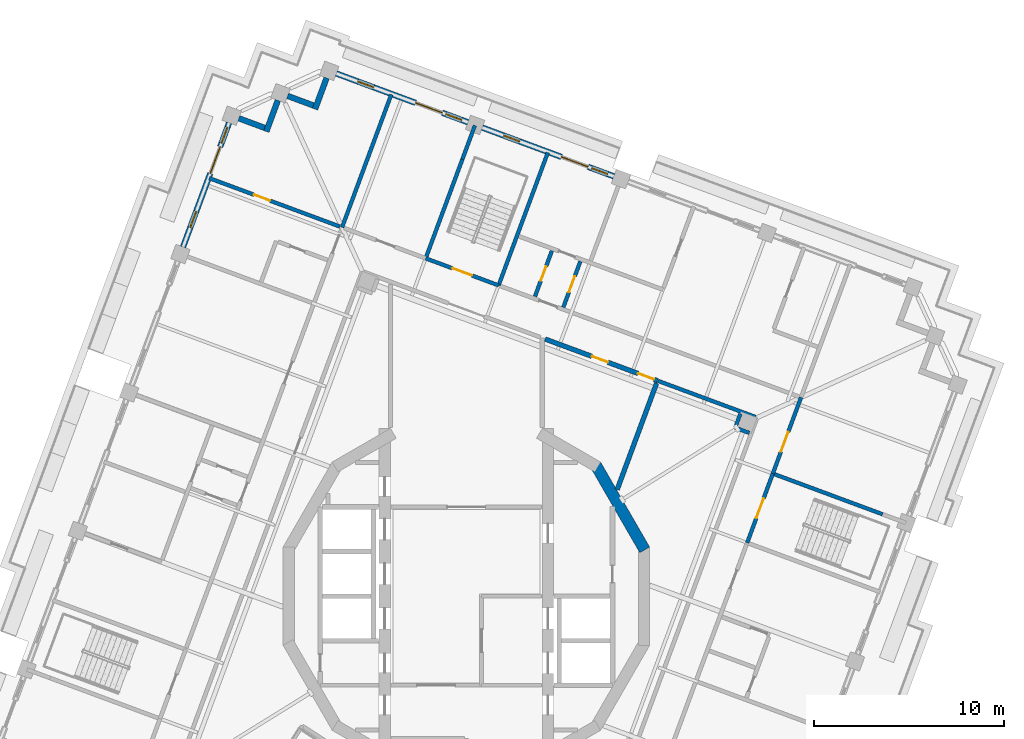
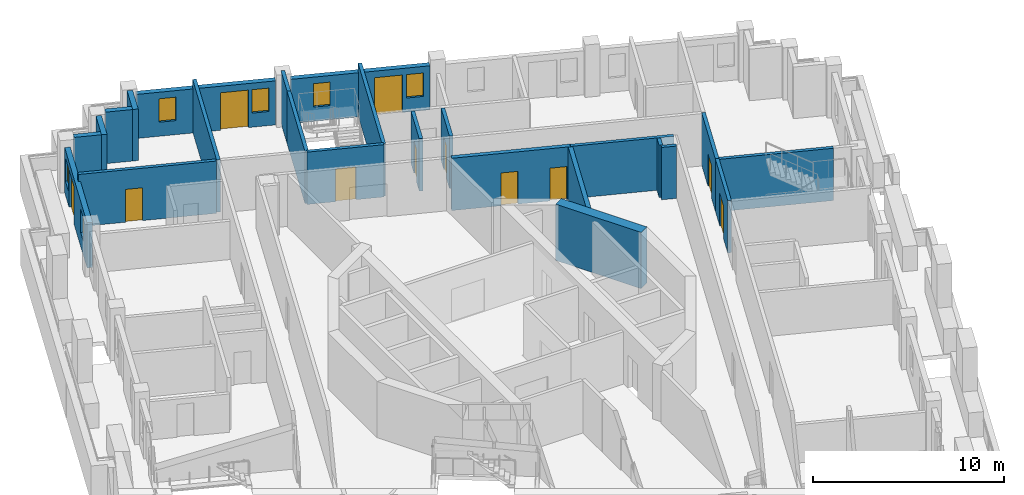
# One storey, part 8 of 18: 24 walls, 11 doors, 6 windows, 17 openings.
"""IFC4 building model written with IfcOpenShell, lengths in metres."""

from ifc_helpers import new_model, si_unit, direction, frame, frame_2d, origin, place, context, subcontext, project, spatial, rectangle, extrude, material, layer, layer_set, type_object, element, fill, save


model = new_model("IFC4")

# Units and contexts
model_context = context("Model", 3, precision=1e-05, world=origin(), true_north=direction((0.0, 1.0)))
body_context = subcontext(model_context, "Body", "Model", "MODEL_VIEW")
ifc_project = project(units=[si_unit("LENGTHUNIT", "METRE"), si_unit("AREAUNIT", "SQUARE_METRE"), si_unit("VOLUMEUNIT", "CUBIC_METRE"), si_unit("PLANEANGLEUNIT", "RADIAN"), si_unit("MASSUNIT", "GRAM", prefix="KILO")], contexts=[model_context])

# Site, building, storey
site_placement = place(None, origin())
site = spatial("IfcSite", under=ifc_project, at=site_placement, CompositionType="ELEMENT")
building_placement = place(site_placement, origin())
building = spatial("IfcBuilding", under=site, at=building_placement, Name="Cantera Rosa Tower", CompositionType="ELEMENT")
storey_placement = place(building_placement, frame((0.0, 0.0, 316.89990234375)))
storey = spatial("IfcBuildingStorey", under=building, at=storey_placement, Name="L70", CompositionType="ELEMENT", Elevation=316.89990234375)

# Wall
ifc_material_1 = material(Name="Gypsum board partition")
ifc_layer_1 = layer(ifc_material_1, 0.199951171875)
ifc_layer_set_1 = layer_set([ifc_layer_1], Name="CORRIDOR WALL 200 H3350")
wall_type_1 = type_object("IfcWallType", Name="CORRIDOR WALL 200 H3350", PredefinedType="PARTITIONING", material=ifc_layer_set_1)
wall_1_placement = place(storey_placement, frame((15.2314453125, 9.446044921875, 0.0), z_axis=(0.0, 0.0, 1.0), x_axis=(-0.93769339426, 0.347463808706, 0.0)))
element("IfcWall", 1, at=wall_1_placement, inside=storey, type_object=wall_type_1, Name="CORRIDOR WALL L70-096", PredefinedType="PARTITIONING", context=body_context, shape_type="SweptSolid", body=[
    extrude(rectangle(XDim=5.47998046875, YDim=0.199951171875, at=frame_2d((2.739990234375, 0.0))), origin(), (0.0, 0.0, 1.0), 3.35009765625),
])

# Wall, opening, door
wall_2_placement = place(storey_placement, frame((16.1513671875, 6.460205078125, 0.0), z_axis=(0.0, 0.0, 1.0), x_axis=(0.347438825371, 0.937702651497, 0.0)))
wall_2 = element("IfcWall", 2, at=wall_2_placement, inside=storey, type_object=wall_type_1, Name="CORRIDOR WALL L70-099", PredefinedType="PARTITIONING", context=body_context, shape_type="SweptSolid", body=[
    extrude(rectangle(XDim=4.280029296875, YDim=0.199951171875, at=frame_2d((2.14013671875, 0.0))), origin(), (0.0, 0.0, 1.0), 3.35009765625),
])
opening_1_placement = place(wall_2_placement, frame((1.22998046875, 0.0, 0.0)))
opening_1 = element("IfcOpeningElement", 3, at=opening_1_placement, cuts=wall_2, Name="Opening L70-046", PredefinedType="OPENING", context=body_context, shape_type="SweptSolid", body=[
    extrude(rectangle(XDim=1.10009765625, YDim=2.10009765625, at=frame_2d((0.550048828125, 1.050048828125))), frame((0.0, 0.10986328125, 0.0), z_axis=(0.0, -1.0, 0.0), x_axis=(1.0, 0.0, 0.0)), (0.0, 0.0, 1.0), 0.219970703125),
])
ifc_material_2 = material(Name="Timber door leaf", Category="wood")
door_type_1 = type_object("IfcDoorType", Name="ROOM DOOR 1100x2100", OperationType="NOTDEFINED", PredefinedType="DOOR", material=ifc_material_2)
door_1_placement = place(opening_1_placement, origin())
door_1 = element("IfcDoor", 4, at=door_1_placement, inside=storey, type_object=door_type_1, Name="DOOR L70-046", OperationType="NOTDEFINED", OverallHeight=2.10009765625, OverallWidth=1.10009765625, PredefinedType="DOOR", context=body_context, shape_type="SweptSolid", body=[
    extrude(rectangle(XDim=1.10009765625, YDim=2.10009765625, at=frame_2d((0.550048828125, 1.050048828125))), frame((0.0, 0.02490234375, 0.0), z_axis=(0.0, -1.0, 0.0), x_axis=(1.0, 0.0, 0.0)), (0.0, 0.0, 1.0), 0.050048828125),
])
fill(opening_1, door_1)

# Walls
ifc_material_3 = material(Name="Hollow clay masonry with cantera stone cladding", Category="masonry")
ifc_layer_2 = layer(ifc_material_3, 0.300048828125)
ifc_layer_set_2 = layer_set([ifc_layer_2], Name="EW-LOGGIA 300")
wall_type_2 = type_object("IfcWallType", Name="EW-LOGGIA 300", PredefinedType="SOLIDWALL", material=ifc_layer_set_2)
wall_3_placement = place(storey_placement, frame((-7.36865234375, 27.312255859375, 0.0), z_axis=(0.0, 0.0, 1.0), x_axis=(-0.34752790836, -0.937669639538, 0.0)))
element("IfcWall", 5, at=wall_3_placement, inside=storey, type_object=wall_type_2, Name="EN-L70-W05a", PredefinedType="SOLIDWALL", context=body_context, shape_type="SweptSolid", body=[
    extrude(rectangle(XDim=1.75, YDim=0.300048828125, at=frame_2d((0.875, 0.0))), origin(), (0.0, 0.0, 1.0), 3.300048828125),
])
wall_4_placement = place(storey_placement, frame((-8.065185546875, 25.8642578125, 0.0), z_axis=(0.0, 0.0, 1.0), x_axis=(-0.937671557958, 0.347522732201, 0.0)))
element("IfcWall", 6, at=wall_4_placement, inside=storey, type_object=wall_type_2, Name="EN-L70-W05b", PredefinedType="SOLIDWALL", context=body_context, shape_type="SweptSolid", body=[
    extrude(rectangle(XDim=1.449951171875, YDim=0.300048828125, at=frame_2d((0.72509765625, 0.0))), origin(), (0.0, 0.0, 1.0), 3.300048828125),
])
wall_5_placement = place(storey_placement, frame((-9.93896484375, 26.132080078125, 0.0), z_axis=(0.0, 0.0, 1.0), x_axis=(-0.34748245117, -0.937686486054, 0.0)))
element("IfcWall", 7, at=wall_5_placement, inside=storey, type_object=wall_type_2, Name="EN-L70-W06a", PredefinedType="SOLIDWALL", context=body_context, shape_type="SweptSolid", body=[
    extrude(rectangle(XDim=1.750244140625, YDim=0.300048828125, at=frame_2d((0.875, 0.0))), origin(), (0.0, 0.0, 1.0), 3.300048828125),
])
wall_6_placement = place(storey_placement, frame((-10.635498046875, 24.683837890625, 0.0), z_axis=(0.0, 0.0, 1.0), x_axis=(-0.937671557958, 0.347522732201, 0.0)))
element("IfcWall", 8, at=wall_6_placement, inside=storey, type_object=wall_type_2, Name="EN-L70-W06b", PredefinedType="SOLIDWALL", context=body_context, shape_type="SweptSolid", body=[
    extrude(rectangle(XDim=1.449951171875, YDim=0.300048828125, at=frame_2d((0.72509765625, 0.0))), origin(), (0.0, 0.0, 1.0), 3.300048828125),
])

# Wall, openings, windows, door
ifc_material_4 = material(Name="Hollow clay masonry with cantera stone cladding", Category="masonry")
ifc_layer_3 = layer(ifc_material_4, 0.300048828125)
ifc_layer_set_3 = layer_set([ifc_layer_3], Name="EW-LOGGIA 300 H2820")
wall_type_3 = type_object("IfcWallType", Name="EW-LOGGIA 300 H2820", PredefinedType="SOLIDWALL", material=ifc_layer_set_3)
wall_7_placement = place(storey_placement, frame((7.7734375, 22.127685546875, 0.0), z_axis=(0.0, 0.0, 1.0), x_axis=(-0.937680690562, 0.34749808999, 0.0)))
wall_7 = element("IfcWall", 9, at=wall_7_placement, inside=storey, type_object=wall_type_3, Name="EN-L70-W03", PredefinedType="SOLIDWALL", context=body_context, shape_type="SweptSolid", body=[
    extrude(rectangle(XDim=7.400146484375, YDim=0.300048828125, at=frame_2d((3.7001953125, 0.0))), origin(), (0.0, 0.0, 1.0), 2.820068359375),
])
opening_2_placement = place(wall_7_placement, frame((0.35009765625, 0.0, 0.89990234375)))
opening_2 = element("IfcOpeningElement", 10, at=opening_2_placement, cuts=wall_7, Name="Opening L70-W07", PredefinedType="OPENING", context=body_context, shape_type="SweptSolid", body=[
    extrude(rectangle(XDim=0.89990234375, YDim=1.5, at=frame_2d((0.449951171875, 0.75))), frame((0.0, 0.159912109375, 0.0), z_axis=(0.0, -1.0, 0.0), x_axis=(1.0, 0.0, 0.0)), (0.0, 0.0, 1.0), 0.320068359375),
])
opening_3_placement = place(wall_7_placement, frame((1.449951171875, 0.0, 0.0)))
opening_3 = element("IfcOpeningElement", 11, at=opening_3_placement, cuts=wall_7, Name="Opening L70-TD08", PredefinedType="OPENING", context=body_context, shape_type="SweptSolid", body=[
    extrude(rectangle(XDim=1.5, YDim=2.39990234375, at=frame_2d((0.75, 1.199951171875))), frame((0.0, 0.159912109375, 0.0), z_axis=(0.0, -1.0, 0.0), x_axis=(1.0, 0.0, 0.0)), (0.0, 0.0, 1.0), 0.320068359375),
])
opening_4_placement = place(wall_7_placement, frame((5.300048828125, 0.0, 0.89990234375)))
opening_4 = element("IfcOpeningElement", 12, at=opening_4_placement, cuts=wall_7, Name="Opening L70-W09", PredefinedType="OPENING", context=body_context, shape_type="SweptSolid", body=[
    extrude(rectangle(XDim=0.89990234375, YDim=1.5, at=frame_2d((0.449951171875, 0.75))), frame((0.0, 0.159912109375, 0.0), z_axis=(0.0, -1.0, 0.0), x_axis=(1.0, 0.0, 0.0)), (0.0, 0.0, 1.0), 0.320068359375),
])
ifc_material_5 = material(Name="Aluminium frame with clear glass", Category="aluminium")
window_type = type_object("IfcWindowType", Name="Residential window 900x1500", PartitioningType="SINGLE_PANEL", PredefinedType="WINDOW", material=ifc_material_5)
window_1_placement = place(opening_2_placement, origin())
window_1 = element("IfcWindow", 13, at=window_1_placement, inside=storey, type_object=window_type, Name="WINDOW L70-W07", OverallHeight=1.5, OverallWidth=0.89990234375, PartitioningType="SINGLE_PANEL", PredefinedType="WINDOW", context=body_context, shape_type="SweptSolid", body=[
    extrude(rectangle(XDim=0.89990234375, YDim=1.5, at=frame_2d((0.449951171875, 0.75))), frame((0.0, 0.030029296875, 0.0), z_axis=(0.0, -1.0, 0.0), x_axis=(1.0, 0.0, 0.0)), (0.0, 0.0, 1.0), 0.06005859375),
])
fill(opening_2, window_1)
window_2_placement = place(opening_4_placement, origin())
window_2 = element("IfcWindow", 14, at=window_2_placement, inside=storey, type_object=window_type, Name="WINDOW L70-W09", OverallHeight=1.5, OverallWidth=0.89990234375, PartitioningType="SINGLE_PANEL", PredefinedType="WINDOW", context=body_context, shape_type="SweptSolid", body=[
    extrude(rectangle(XDim=0.89990234375, YDim=1.5, at=frame_2d((0.449951171875, 0.75))), frame((0.0, 0.030029296875, 0.0), z_axis=(0.0, -1.0, 0.0), x_axis=(1.0, 0.0, 0.0)), (0.0, 0.0, 1.0), 0.06005859375),
])
fill(opening_4, window_2)
ifc_material_6 = material(Name="Aluminium frame with clear glass", Category="aluminium")
door_type_2 = type_object("IfcDoorType", Name="TD-R 1500x2400", OperationType="NOTDEFINED", PredefinedType="DOOR", material=ifc_material_6)
door_2_placement = place(opening_3_placement, origin())
door_2 = element("IfcDoor", 15, at=door_2_placement, inside=storey, type_object=door_type_2, Name="LOGGIA DOOR L70-TD08", OperationType="SLIDING_TO_LEFT", OverallHeight=2.39990234375, OverallWidth=1.5, PredefinedType="DOOR", context=body_context, shape_type="SweptSolid", body=[
    extrude(rectangle(XDim=1.5, YDim=2.39990234375, at=frame_2d((0.75, 1.199951171875))), frame((0.0, 0.02490234375, 0.0), z_axis=(0.0, -1.0, 0.0), x_axis=(1.0, 0.0, 0.0)), (0.0, 0.0, 1.0), 0.050048828125),
])
fill(opening_3, door_2)

wall_8_placement = place(storey_placement, frame((0.084228515625, 24.97705078125, 0.0), z_axis=(0.0, 0.0, 1.0), x_axis=(-0.937687456783, 0.347479831633, 0.0)))
wall_8 = element("IfcWall", 16, at=wall_8_placement, inside=storey, type_object=wall_type_3, Name="EN-L70-W04", PredefinedType="SOLIDWALL", context=body_context, shape_type="SweptSolid", body=[
    extrude(rectangle(XDim=7.39990234375, YDim=0.300048828125, at=frame_2d((3.699951171875, 0.0))), origin(), (0.0, 0.0, 1.0), 2.820068359375),
])
opening_5_placement = place(wall_8_placement, frame((0.35009765625, 0.0, 0.89990234375)))
opening_5 = element("IfcOpeningElement", 17, at=opening_5_placement, cuts=wall_8, Name="Opening L70-W10", PredefinedType="OPENING", context=body_context, shape_type="SweptSolid", body=[
    extrude(rectangle(XDim=0.89990234375, YDim=1.5, at=frame_2d((0.449951171875, 0.75))), frame((0.0, 0.159912109375, 0.0), z_axis=(0.0, -1.0, 0.0), x_axis=(1.0, 0.0, 0.0)), (0.0, 0.0, 1.0), 0.320068359375),
])
opening_6_placement = place(wall_8_placement, frame((1.449951171875, 0.0, 0.0)))
opening_6 = element("IfcOpeningElement", 18, at=opening_6_placement, cuts=wall_8, Name="Opening L70-TD11", PredefinedType="OPENING", context=body_context, shape_type="SweptSolid", body=[
    extrude(rectangle(XDim=1.5, YDim=2.39990234375, at=frame_2d((0.75, 1.199951171875))), frame((0.0, 0.159912109375, 0.0), z_axis=(0.0, -1.0, 0.0), x_axis=(1.0, 0.0, 0.0)), (0.0, 0.0, 1.0), 0.320068359375),
])
opening_7_placement = place(wall_8_placement, frame((5.300048828125, 0.0, 0.89990234375)))
opening_7 = element("IfcOpeningElement", 19, at=opening_7_placement, cuts=wall_8, Name="Opening L70-W12", PredefinedType="OPENING", context=body_context, shape_type="SweptSolid", body=[
    extrude(rectangle(XDim=0.89990234375, YDim=1.5, at=frame_2d((0.449951171875, 0.75))), frame((0.0, 0.159912109375, 0.0), z_axis=(0.0, -1.0, 0.0), x_axis=(1.0, 0.0, 0.0)), (0.0, 0.0, 1.0), 0.320068359375),
])
window_3_placement = place(opening_5_placement, origin())
window_3 = element("IfcWindow", 20, at=window_3_placement, inside=storey, type_object=window_type, Name="WINDOW L70-W10", OverallHeight=1.5, OverallWidth=0.89990234375, PartitioningType="SINGLE_PANEL", PredefinedType="WINDOW", context=body_context, shape_type="SweptSolid", body=[
    extrude(rectangle(XDim=0.89990234375, YDim=1.5, at=frame_2d((0.449951171875, 0.75))), frame((0.0, 0.030029296875, 0.0), z_axis=(0.0, -1.0, 0.0), x_axis=(1.0, 0.0, 0.0)), (0.0, 0.0, 1.0), 0.06005859375),
])
fill(opening_5, window_3)
window_4_placement = place(opening_7_placement, origin())
window_4 = element("IfcWindow", 21, at=window_4_placement, inside=storey, type_object=window_type, Name="WINDOW L70-W12", OverallHeight=1.5, OverallWidth=0.89990234375, PartitioningType="SINGLE_PANEL", PredefinedType="WINDOW", context=body_context, shape_type="SweptSolid", body=[
    extrude(rectangle(XDim=0.89990234375, YDim=1.5, at=frame_2d((0.449951171875, 0.75))), frame((0.0, 0.030029296875, 0.0), z_axis=(0.0, -1.0, 0.0), x_axis=(1.0, 0.0, 0.0)), (0.0, 0.0, 1.0), 0.06005859375),
])
fill(opening_7, window_4)
door_3_placement = place(opening_6_placement, origin())
door_3 = element("IfcDoor", 22, at=door_3_placement, inside=storey, type_object=door_type_2, Name="LOGGIA DOOR L70-TD11", OperationType="SLIDING_TO_LEFT", OverallHeight=2.39990234375, OverallWidth=1.5, PredefinedType="DOOR", context=body_context, shape_type="SweptSolid", body=[
    extrude(rectangle(XDim=1.5, YDim=2.39990234375, at=frame_2d((0.75, 1.199951171875))), frame((0.0, 0.02490234375, 0.0), z_axis=(0.0, -1.0, 0.0), x_axis=(1.0, 0.0, 0.0)), (0.0, 0.0, 1.0), 0.050048828125),
])
fill(opening_6, door_3)

ifc_material_7 = material(Name="Hollow clay masonry with cantera stone cladding", Category="masonry")
ifc_layer_4 = layer(ifc_material_7, 0.300048828125)
ifc_layer_set_4 = layer_set([ifc_layer_4], Name="EW-LOGGIA 300 H2890")
wall_type_4 = type_object("IfcWallType", Name="EW-LOGGIA 300 H2890", PredefinedType="SOLIDWALL", material=ifc_layer_set_4)
wall_9_placement = place(storey_placement, frame((-12.50927734375, 24.95166015625, 0.0), z_axis=(0.0, 0.0, 1.0), x_axis=(-0.347490919506, -0.937683347864, 0.0)))
wall_9 = element("IfcWall", 23, at=wall_9_placement, inside=storey, type_object=wall_type_4, Name="EN-L70-W07", PredefinedType="SOLIDWALL", context=body_context, shape_type="SweptSolid", body=[
    extrude(rectangle(XDim=6.980224609375, YDim=0.300048828125, at=frame_2d((3.490234375, 0.0))), origin(), (0.0, 0.0, 1.0), 2.89013671875),
])
opening_8_placement = place(wall_9_placement, frame((0.2451171875, 0.0, 0.89990234375)))
opening_8 = element("IfcOpeningElement", 24, at=opening_8_placement, cuts=wall_9, Name="Opening L70-W13", PredefinedType="OPENING", context=body_context, shape_type="SweptSolid", body=[
    extrude(rectangle(XDim=0.89990234375, YDim=1.5, at=frame_2d((0.449951171875, 0.75))), frame((0.0, 0.159912109375, 0.0), z_axis=(0.0, -1.0, 0.0), x_axis=(1.0, 0.0, 0.0)), (0.0, 0.0, 1.0), 0.320068359375),
])
opening_9_placement = place(wall_9_placement, frame((1.344970703125, 0.0, 0.0)))
opening_9 = element("IfcOpeningElement", 25, at=opening_9_placement, cuts=wall_9, Name="Opening L70-TD14", PredefinedType="OPENING", context=body_context, shape_type="SweptSolid", body=[
    extrude(rectangle(XDim=1.5, YDim=2.39990234375, at=frame_2d((0.75, 1.199951171875))), frame((0.0, 0.159912109375, 0.0), z_axis=(0.0, -1.0, 0.0), x_axis=(1.0, 0.0, 0.0)), (0.0, 0.0, 1.0), 0.320068359375),
])
opening_10_placement = place(wall_9_placement, frame((4.985107421875, 0.0, 0.89990234375)))
opening_10 = element("IfcOpeningElement", 26, at=opening_10_placement, cuts=wall_9, Name="Opening L70-W15", PredefinedType="OPENING", context=body_context, shape_type="SweptSolid", body=[
    extrude(rectangle(XDim=0.89990234375, YDim=1.5, at=frame_2d((0.449951171875, 0.75))), frame((0.0, 0.159912109375, 0.0), z_axis=(0.0, -1.0, 0.0), x_axis=(1.0, 0.0, 0.0)), (0.0, 0.0, 1.0), 0.320068359375),
])
window_5_placement = place(opening_8_placement, origin())
window_5 = element("IfcWindow", 27, at=window_5_placement, inside=storey, type_object=window_type, Name="WINDOW L70-W13", OverallHeight=1.5, OverallWidth=0.89990234375, PartitioningType="SINGLE_PANEL", PredefinedType="WINDOW", context=body_context, shape_type="SweptSolid", body=[
    extrude(rectangle(XDim=0.89990234375, YDim=1.5, at=frame_2d((0.449951171875, 0.75))), frame((0.0, 0.030029296875, 0.0), z_axis=(0.0, -1.0, 0.0), x_axis=(1.0, 0.0, 0.0)), (0.0, 0.0, 1.0), 0.06005859375),
])
fill(opening_8, window_5)
window_6_placement = place(opening_10_placement, origin())
window_6 = element("IfcWindow", 28, at=window_6_placement, inside=storey, type_object=window_type, Name="WINDOW L70-W15", OverallHeight=1.5, OverallWidth=0.89990234375, PartitioningType="SINGLE_PANEL", PredefinedType="WINDOW", context=body_context, shape_type="SweptSolid", body=[
    extrude(rectangle(XDim=0.89990234375, YDim=1.5, at=frame_2d((0.449951171875, 0.75))), frame((0.0, 0.030029296875, 0.0), z_axis=(0.0, -1.0, 0.0), x_axis=(1.0, 0.0, 0.0)), (0.0, 0.0, 1.0), 0.06005859375),
])
fill(opening_10, window_6)
door_4_placement = place(opening_9_placement, origin())
door_4 = element("IfcDoor", 29, at=door_4_placement, inside=storey, type_object=door_type_2, Name="LOGGIA DOOR L70-TD14", OperationType="SLIDING_TO_LEFT", OverallHeight=2.39990234375, OverallWidth=1.5, PredefinedType="DOOR", context=body_context, shape_type="SweptSolid", body=[
    extrude(rectangle(XDim=1.5, YDim=2.39990234375, at=frame_2d((0.75, 1.199951171875))), frame((0.0, 0.02490234375, 0.0), z_axis=(0.0, -1.0, 0.0), x_axis=(1.0, 0.0, 0.0)), (0.0, 0.0, 1.0), 0.050048828125),
])
fill(opening_9, door_4)

# Wall, opening, door
ifc_material_8 = material(Name="Gypsum board partition")
ifc_layer_5 = layer(ifc_material_8, 0.199951171875)
ifc_layer_set_5 = layer_set([ifc_layer_5], Name="PARTITION 200 H3350")
wall_type_5 = type_object("IfcWallType", Name="PARTITION 200 H3350", PredefinedType="PARTITIONING", material=ifc_layer_set_5)
wall_10_placement = place(storey_placement, frame((-6.66650390625, 19.480224609375, 0.0), z_axis=(0.0, 0.0, 1.0), x_axis=(-0.937685837181, 0.347484202159, 0.0)))
wall_10 = element("IfcWall", 30, at=wall_10_placement, inside=storey, type_object=wall_type_5, Name="PARTITION L70-035", PredefinedType="PARTITIONING", context=body_context, shape_type="SweptSolid", body=[
    extrude(rectangle(XDim=7.349853515625, YDim=0.199951171875, at=frame_2d((3.6748046875, 0.0))), origin(), (0.0, 0.0, 1.0), 3.35009765625),
])
opening_11_placement = place(wall_10_placement, frame((3.929931640625, 0.0, 0.0)))
opening_11 = element("IfcOpeningElement", 31, at=opening_11_placement, cuts=wall_10, Name="Opening L70-035", PredefinedType="OPENING", context=body_context, shape_type="SweptSolid", body=[
    extrude(rectangle(XDim=0.89990234375, YDim=2.10009765625, at=frame_2d((0.449951171875, 1.050048828125))), frame((0.0, 0.10986328125, 0.0), z_axis=(0.0, -1.0, 0.0), x_axis=(1.0, 0.0, 0.0)), (0.0, 0.0, 1.0), 0.219970703125),
])
ifc_material_9 = material(Name="Timber door leaf", Category="wood")
door_type_3 = type_object("IfcDoorType", Name="ROOM DOOR 900x2100", OperationType="NOTDEFINED", PredefinedType="DOOR", material=ifc_material_9)
door_5_placement = place(opening_11_placement, origin())
door_5 = element("IfcDoor", 32, at=door_5_placement, inside=storey, type_object=door_type_3, Name="DOOR L70-035", OperationType="NOTDEFINED", OverallHeight=2.10009765625, OverallWidth=0.89990234375, PredefinedType="DOOR", context=body_context, shape_type="SweptSolid", body=[
    extrude(rectangle(XDim=0.89990234375, YDim=2.10009765625, at=frame_2d((0.449951171875, 1.050048828125))), frame((0.0, 0.02490234375, 0.0), z_axis=(0.0, -1.0, 0.0), x_axis=(1.0, 0.0, 0.0)), (0.0, 0.0, 1.0), 0.050048828125),
])
fill(opening_11, door_5)

wall_11_placement = place(storey_placement, frame((4.50439453125, 18.19873046875, 0.0), z_axis=(0.0, 0.0, 1.0), x_axis=(-0.347441707582, -0.937701583571, 0.0)))
wall_11 = element("IfcWall", 33, at=wall_11_placement, inside=storey, type_object=wall_type_5, Name="PARTITION L70-069", PredefinedType="PARTITIONING", context=body_context, shape_type="SweptSolid", body=[
    extrude(rectangle(XDim=2.559814453125, YDim=0.199951171875, at=frame_2d((1.27978515625, 0.0))), origin(), (0.0, 0.0, 1.0), 3.35009765625),
])
opening_12_placement = place(wall_11_placement, frame((0.8798828125, 0.0, 0.0)))
opening_12 = element("IfcOpeningElement", 34, at=opening_12_placement, cuts=wall_11, Name="Opening L70-021", PredefinedType="OPENING", context=body_context, shape_type="SweptSolid", body=[
    extrude(rectangle(XDim=0.800048828125, YDim=2.10009765625, at=frame_2d((0.39990234375, 1.050048828125))), frame((0.0, 0.10986328125, 0.0), z_axis=(0.0, -1.0, 0.0), x_axis=(1.0, 0.0, 0.0)), (0.0, 0.0, 1.0), 0.219970703125),
])
ifc_material_10 = material(Name="Timber door leaf", Category="wood")
door_type_4 = type_object("IfcDoorType", Name="BATHROOM DOOR 800x2100", OperationType="NOTDEFINED", PredefinedType="DOOR", material=ifc_material_10)
door_6_placement = place(opening_12_placement, origin())
door_6 = element("IfcDoor", 35, at=door_6_placement, inside=storey, type_object=door_type_4, Name="DOOR L70-021", OperationType="NOTDEFINED", OverallHeight=2.10009765625, OverallWidth=0.800048828125, PredefinedType="DOOR", context=body_context, shape_type="SweptSolid", body=[
    extrude(rectangle(XDim=0.800048828125, YDim=2.10009765625, at=frame_2d((0.39990234375, 1.050048828125))), frame((0.0, 0.02490234375, 0.0), z_axis=(0.0, -1.0, 0.0), x_axis=(1.0, 0.0, 0.0)), (0.0, 0.0, 1.0), 0.050048828125),
])
fill(opening_12, door_6)

wall_12_placement = place(storey_placement, frame((6.004638671875, 17.642822265625, 0.0), z_axis=(0.0, 0.0, 1.0), x_axis=(-0.34748078016, -0.937687105286, 0.0)))
wall_12 = element("IfcWall", 36, at=wall_12_placement, inside=storey, type_object=wall_type_5, Name="PARTITION L70-077", PredefinedType="PARTITIONING", context=body_context, shape_type="SweptSolid", body=[
    extrude(rectangle(XDim=2.579833984375, YDim=0.199951171875, at=frame_2d((1.2900390625, 0.0))), origin(), (0.0, 0.0, 1.0), 3.35009765625),
])
opening_13_placement = place(wall_12_placement, frame((0.830078125, 0.0, 0.0)))
opening_13 = element("IfcOpeningElement", 37, at=opening_13_placement, cuts=wall_12, Name="Opening L70-022", PredefinedType="OPENING", context=body_context, shape_type="SweptSolid", body=[
    extrude(rectangle(XDim=0.89990234375, YDim=2.10009765625, at=frame_2d((0.449951171875, 1.050048828125))), frame((0.0, 0.10986328125, 0.0), z_axis=(0.0, -1.0, 0.0), x_axis=(1.0, 0.0, 0.0)), (0.0, 0.0, 1.0), 0.219970703125),
])
door_7_placement = place(opening_13_placement, origin())
door_7 = element("IfcDoor", 38, at=door_7_placement, inside=storey, type_object=door_type_3, Name="DOOR L70-022", OperationType="NOTDEFINED", OverallHeight=2.10009765625, OverallWidth=0.89990234375, PredefinedType="DOOR", context=body_context, shape_type="SweptSolid", body=[
    extrude(rectangle(XDim=0.89990234375, YDim=2.10009765625, at=frame_2d((0.449951171875, 1.050048828125))), frame((0.0, 0.02490234375, 0.0), z_axis=(0.0, -1.0, 0.0), x_axis=(1.0, 0.0, 0.0)), (0.0, 0.0, 1.0), 0.050048828125),
])
fill(opening_13, door_7)

# Walls
wall_13_placement = place(storey_placement, frame((14.16845703125, 8.8798828125, 0.0), z_axis=(0.0, 0.0, 1.0), x_axis=(0.937763484234, -0.347274599759, 0.0)))
element("IfcWall", 39, at=wall_13_placement, inside=storey, type_object=wall_type_5, Name="PARTITION L70-092", PredefinedType="PARTITIONING", context=body_context, shape_type="SweptSolid", body=[
    extrude(rectangle(XDim=0.800048828125, YDim=0.199951171875, at=frame_2d((0.39990234375, 0.0))), origin(), (0.0, 0.0, 1.0), 3.35009765625),
])
wall_14_placement = place(storey_placement, frame((14.439697265625, 9.611328125, 0.0), z_axis=(0.0, 0.0, 1.0), x_axis=(-0.347796331394, -0.937570110375, 0.0)))
element("IfcWall", 40, at=wall_14_placement, inside=storey, type_object=wall_type_5, Name="PARTITION L70-093", PredefinedType="PARTITIONING", context=body_context, shape_type="SweptSolid", body=[
    extrude(rectangle(XDim=0.659912109375, YDim=0.199951171875, at=frame_2d((0.330078125, 0.0))), origin(), (0.0, 0.0, 1.0), 3.35009765625),
])
ifc_material_11 = material(Name="Gypsum board partition")
ifc_layer_6 = layer(ifc_material_11, 0.199951171875)
ifc_layer_set_6 = layer_set([ifc_layer_6], Name="PARTY WALL 200 H3350")
wall_type_6 = type_object("IfcWallType", Name="PARTY WALL 200 H3350", PredefinedType="PARTITIONING", material=ifc_layer_set_6)
wall_15_placement = place(storey_placement, frame((-6.5537109375, 19.438720703125, 0.0), z_axis=(0.0, 0.0, 1.0), x_axis=(0.347460186276, 0.93769473655, 0.0)))
element("IfcWall", 41, at=wall_15_placement, inside=storey, type_object=wall_type_6, Name="PARTY WALL L70-036", PredefinedType="PARTITIONING", context=body_context, shape_type="SweptSolid", body=[
    extrude(rectangle(XDim=7.4697265625, YDim=0.199951171875, at=frame_2d((3.73486328125, 0.0))), origin(), (0.0, 0.0, 1.0), 3.35009765625),
])
ifc_material_12 = material(Name="Concrete C50/60", Category="concrete")
ifc_layer_7 = layer(ifc_material_12, 0.60009765625)
ifc_layer_set_7 = layer_set([ifc_layer_7], Name="RC CORE WALL 600 C50/60")
wall_type_7 = type_object("IfcWallType", Name="RC CORE WALL 600 C50/60", PredefinedType="SHEAR", material=ifc_layer_set_7)
wall_16_placement = place(storey_placement, frame((6.811279296875, 6.921142578125, 0.0), z_axis=(0.0, 0.0, 1.0), x_axis=(0.499989188378, -0.866031645787, 0.0)))
element("IfcWall", 42, at=wall_16_placement, inside=storey, type_object=wall_type_7, Name="CW-E2 L70", PredefinedType="SHEAR", context=body_context, shape_type="SweptSolid", body=[
    extrude(rectangle(XDim=5.17626953125, YDim=0.60009765625, at=frame_2d((2.588134765625, 0.0))), origin(), (0.0, 0.0, 1.0), 3.60009765625),
])
ifc_material_13 = material(Name="Masonry blockwork", Category="masonry")
ifc_layer_8 = layer(ifc_material_13, 0.25)
ifc_layer_set_8 = layer_set([ifc_layer_8], Name="SHAFT WALL 250 H3350")
wall_type_8 = type_object("IfcWallType", Name="SHAFT WALL 250 H3350", PredefinedType="SOLIDWALL", material=ifc_layer_set_8)
wall_17_placement = place(storey_placement, frame((7.9462890625, 5.614990234375, 0.0), z_axis=(0.0, 0.0, 1.0), x_axis=(0.347463184848, 0.937693625432, 0.0)))
element("IfcWall", 43, at=wall_17_placement, inside=storey, type_object=wall_type_8, Name="SHAFT WALL L70-083", PredefinedType="SOLIDWALL", context=body_context, shape_type="SweptSolid", body=[
    extrude(rectangle(XDim=5.983642578125, YDim=0.25, at=frame_2d((2.99169921875, 0.0))), origin(), (0.0, 0.0, 1.0), 3.35009765625),
])

# Wall, openings, doors
wall_18_placement = place(storey_placement, frame((10.07421875, 11.357177734375, 0.0), z_axis=(0.0, 0.0, 1.0), x_axis=(-0.937690947625, 0.347470411318, 0.0)))
wall_18 = element("IfcWall", 44, at=wall_18_placement, inside=storey, type_object=wall_type_8, Name="SHAFT WALL L70-086", PredefinedType="SOLIDWALL", context=body_context, shape_type="SweptSolid", body=[
    extrude(rectangle(XDim=6.31787109375, YDim=0.25, at=frame_2d((3.158935546875, 0.0))), origin(), (0.0, 0.0, 1.0), 3.35009765625),
])
opening_14_placement = place(wall_18_placement, frame((0.19775390625, 0.0, 0.0)))
opening_14 = element("IfcOpeningElement", 45, at=opening_14_placement, cuts=wall_18, Name="Opening L70-008", PredefinedType="OPENING", context=body_context, shape_type="SweptSolid", body=[
    extrude(rectangle(XDim=0.89990234375, YDim=2.10009765625, at=frame_2d((0.449951171875, 1.050048828125))), frame((0.0, 0.135009765625, 0.0), z_axis=(0.0, -1.0, 0.0), x_axis=(1.0, 0.0, 0.0)), (0.0, 0.0, 1.0), 0.27001953125),
])
opening_15_placement = place(wall_18_placement, frame((2.788818359375, 0.0, 0.0)))
opening_15 = element("IfcOpeningElement", 46, at=opening_15_placement, cuts=wall_18, Name="Opening L70-048", PredefinedType="OPENING", context=body_context, shape_type="SweptSolid", body=[
    extrude(rectangle(XDim=0.89990234375, YDim=2.10009765625, at=frame_2d((0.449951171875, 1.050048828125))), frame((0.0, 0.135009765625, 0.0), z_axis=(0.0, -1.0, 0.0), x_axis=(1.0, 0.0, 0.0)), (0.0, 0.0, 1.0), 0.27001953125),
])
ifc_material_14 = material(Name="Timber door leaf", Category="wood")
door_type_5 = type_object("IfcDoorType", Name="SERVICE DOOR 900x2100", OperationType="NOTDEFINED", PredefinedType="DOOR", material=ifc_material_14)
door_8_placement = place(opening_14_placement, origin())
door_8 = element("IfcDoor", 47, at=door_8_placement, inside=storey, type_object=door_type_5, Name="RISER DOOR L70-008", OperationType="NOTDEFINED", OverallHeight=2.10009765625, OverallWidth=0.89990234375, PredefinedType="DOOR", context=body_context, shape_type="SweptSolid", body=[
    extrude(rectangle(XDim=0.89990234375, YDim=2.10009765625, at=frame_2d((0.449951171875, 1.050048828125))), frame((0.0, 0.02490234375, 0.0), z_axis=(0.0, -1.0, 0.0), x_axis=(1.0, 0.0, 0.0)), (0.0, 0.0, 1.0), 0.050048828125),
])
fill(opening_14, door_8)
door_9_placement = place(opening_15_placement, origin())
door_9 = element("IfcDoor", 48, at=door_9_placement, inside=storey, type_object=door_type_5, Name="RISER DOOR L70-048", OperationType="NOTDEFINED", OverallHeight=2.10009765625, OverallWidth=0.89990234375, PredefinedType="DOOR", context=body_context, shape_type="SweptSolid", body=[
    extrude(rectangle(XDim=0.89990234375, YDim=2.10009765625, at=frame_2d((0.449951171875, 1.050048828125))), frame((0.0, 0.02490234375, 0.0), z_axis=(0.0, -1.0, 0.0), x_axis=(1.0, 0.0, 0.0)), (0.0, 0.0, 1.0), 0.050048828125),
])
fill(opening_15, door_9)

# Wall, opening, door
ifc_material_15 = material(Name="Concrete C50/60", Category="concrete")
ifc_layer_9 = layer(ifc_material_15, 0.199951171875)
ifc_layer_set_9 = layer_set([ifc_layer_9], Name="STAIR WALL 200 H3350")
wall_type_9 = type_object("IfcWallType", Name="STAIR WALL 200 H3350", PredefinedType="SOLIDWALL", material=ifc_layer_set_9)
wall_19_placement = place(storey_placement, frame((-2.146728515625, 17.805419921875, 0.0), z_axis=(0.0, 0.0, 1.0), x_axis=(0.937694876531, -0.347459808507, 0.0)))
wall_19 = element("IfcWall", 49, at=wall_19_placement, inside=storey, type_object=wall_type_9, Name="STAIR WALL L70-052", PredefinedType="SOLIDWALL", context=body_context, shape_type="SweptSolid", body=[
    extrude(rectangle(XDim=4.099853515625, YDim=0.199951171875, at=frame_2d((2.0498046875, 0.0))), origin(), (0.0, 0.0, 1.0), 3.35009765625),
])
opening_16_placement = place(wall_19_placement, frame((1.5, 0.0, 0.0)))
opening_16 = element("IfcOpeningElement", 50, at=opening_16_placement, cuts=wall_19, Name="Opening L70-002", PredefinedType="OPENING", context=body_context, shape_type="SweptSolid", body=[
    extrude(rectangle(XDim=1.10009765625, YDim=2.10009765625, at=frame_2d((0.550048828125, 1.050048828125))), frame((0.0, 0.10986328125, 0.0), z_axis=(0.0, -1.0, 0.0), x_axis=(1.0, 0.0, 0.0)), (0.0, 0.0, 1.0), 0.219970703125),
])
ifc_material_16 = material(Name="Steel S355J2 (EN 10025-2)", Category="steel")
door_type_6 = type_object("IfcDoorType", Name="STAIR DOOR 1100x2100", OperationType="NOTDEFINED", PredefinedType="DOOR", material=ifc_material_16)
door_10_placement = place(opening_16_placement, origin())
door_10 = element("IfcDoor", 51, at=door_10_placement, inside=storey, type_object=door_type_6, Name="DOOR L70-002", OperationType="NOTDEFINED", OverallHeight=2.10009765625, OverallWidth=1.10009765625, PredefinedType="DOOR", context=body_context, shape_type="SweptSolid", body=[
    extrude(rectangle(XDim=1.10009765625, YDim=2.10009765625, at=frame_2d((0.550048828125, 1.050048828125))), frame((0.0, 0.02490234375, 0.0), z_axis=(0.0, -1.0, 0.0), x_axis=(1.0, 0.0, 0.0)), (0.0, 0.0, 1.0), 0.050048828125),
])
fill(opening_16, door_10)

# Walls
wall_20_placement = place(storey_placement, frame((0.448974609375, 24.81005859375, 0.0), z_axis=(0.0, 0.0, 1.0), x_axis=(-0.34743152672, -0.937705355771, 0.0)))
element("IfcWall", 52, at=wall_20_placement, inside=storey, type_object=wall_type_9, Name="STAIR WALL L70-058", PredefinedType="SOLIDWALL", context=body_context, shape_type="SweptSolid", body=[
    extrude(rectangle(XDim=1.900146484375, YDim=0.199951171875, at=frame_2d((0.9501953125, 0.0))), origin(), (0.0, 0.0, 1.0), 3.35009765625),
])
wall_21_placement = place(storey_placement, frame((1.69775390625, 16.380859375, 0.0), z_axis=(0.0, 0.0, 1.0), x_axis=(0.347488923611, 0.937684087509, 0.0)))
element("IfcWall", 53, at=wall_21_placement, inside=storey, type_object=wall_type_9, Name="STAIR WALL L70-062", PredefinedType="SOLIDWALL", context=body_context, shape_type="SweptSolid", body=[
    extrude(rectangle(XDim=7.469970703125, YDim=0.199951171875, at=frame_2d((3.73486328125, 0.0))), origin(), (0.0, 0.0, 1.0), 3.35009765625),
])

# Wall, opening, door
wall_22_placement = place(storey_placement, frame((16.1513671875, 6.460205078125, 0.0), z_axis=(0.0, 0.0, 1.0), x_axis=(-0.347516717491, -0.937673787126, 0.0)))
wall_22 = element("IfcWall", 54, at=wall_22_placement, inside=storey, type_object=wall_type_9, Name="STAIR WALL L70-098", PredefinedType="SOLIDWALL", context=body_context, shape_type="SweptSolid", body=[
    extrude(rectangle(XDim=3.889892578125, YDim=0.199951171875, at=frame_2d((1.94482421875, 0.0))), origin(), (0.0, 0.0, 1.0), 3.35009765625),
])
opening_17_placement = place(wall_22_placement, frame((1.39501953125, 0.0, 0.0)))
opening_17 = element("IfcOpeningElement", 55, at=opening_17_placement, cuts=wall_22, Name="Opening L70-001", PredefinedType="OPENING", context=body_context, shape_type="SweptSolid", body=[
    extrude(rectangle(XDim=1.10009765625, YDim=2.10009765625, at=frame_2d((0.550048828125, 1.050048828125))), frame((0.0, 0.10986328125, 0.0), z_axis=(0.0, -1.0, 0.0), x_axis=(1.0, 0.0, 0.0)), (0.0, 0.0, 1.0), 0.219970703125),
])
door_11_placement = place(opening_17_placement, origin())
door_11 = element("IfcDoor", 56, at=door_11_placement, inside=storey, type_object=door_type_6, Name="DOOR L70-001", OperationType="NOTDEFINED", OverallHeight=2.10009765625, OverallWidth=1.10009765625, PredefinedType="DOOR", context=body_context, shape_type="SweptSolid", body=[
    extrude(rectangle(XDim=1.10009765625, YDim=2.10009765625, at=frame_2d((0.550048828125, 1.050048828125))), frame((0.0, 0.02490234375, 0.0), z_axis=(0.0, -1.0, 0.0), x_axis=(1.0, 0.0, 0.0)), (0.0, 0.0, 1.0), 0.050048828125),
])
fill(opening_17, door_11)

# Walls
wall_23_placement = place(storey_placement, frame((21.936767578125, 4.31640625, 0.0), z_axis=(0.0, 0.0, 1.0), x_axis=(-0.937692901762, 0.347465137797, 0.0)))
element("IfcWall", 57, at=wall_23_placement, inside=storey, type_object=wall_type_9, Name="STAIR WALL L70-104 J", PredefinedType="SOLIDWALL", context=body_context, shape_type="SweptSolid", body=[
    extrude(rectangle(XDim=6.169921875, YDim=0.199951171875, at=frame_2d((3.0849609375, 0.0))), origin(), (0.0, 0.0, 1.0), 3.35009765625),
])
wall_24_placement = place(storey_placement, frame((-0.211181640625, 23.0283203125, 0.0), z_axis=(0.0, 0.0, 1.0), x_axis=(-0.347494221501, -0.937682124189, 0.0)))
element("IfcWall", 58, at=wall_24_placement, inside=storey, type_object=wall_type_9, Name="STAIR WALL L70-058 J", PredefinedType="SOLIDWALL", context=body_context, shape_type="SweptSolid", body=[
    extrude(rectangle(XDim=5.570068359375, YDim=0.199951171875, at=frame_2d((2.78515625, 0.0))), origin(), (0.0, 0.0, 1.0), 3.35009765625),
])

save(model, "model.ifc")
